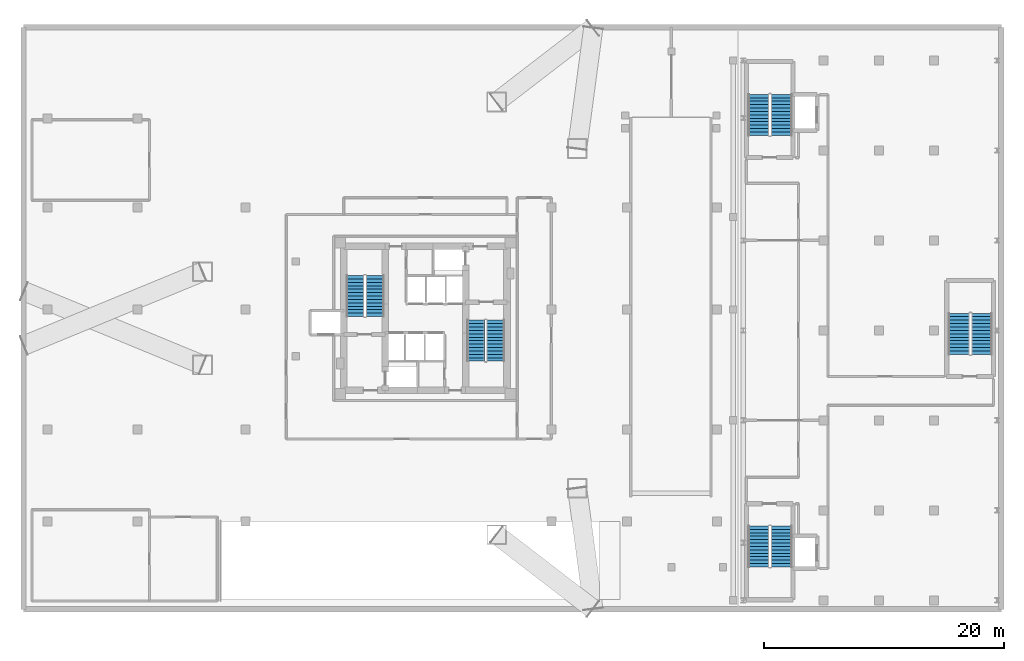
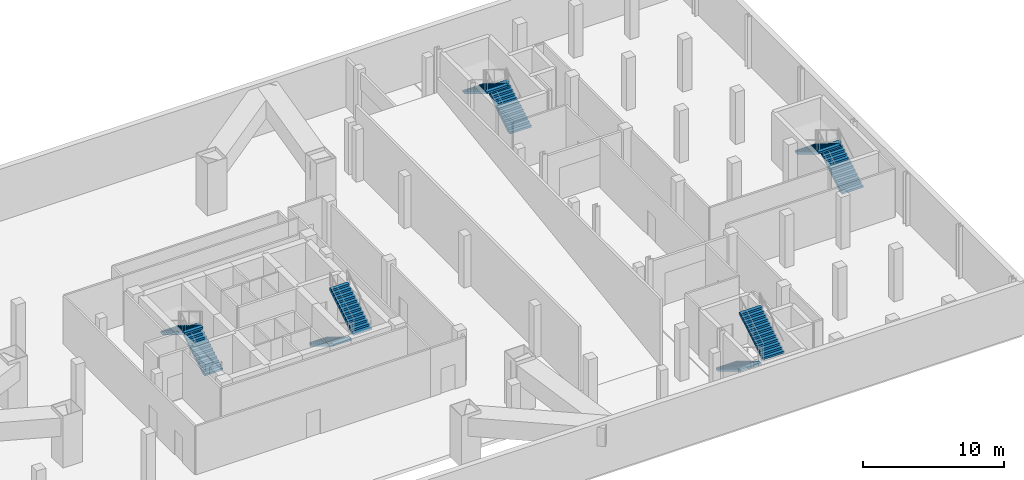
# One storey, part 11 of 14: 10 stair flights, 5 elements without a shape of their own.
"""IFC4 building model written with IfcOpenShell, lengths in metres."""

import ifcopenshell
import ifcopenshell.guid

model = None  # the IFC model being written
_history = None  # IfcOwnerHistory: only IFC2X3 demands one
_inside = {}  # id of a spatial element -> (the spatial element, [elements in it])
_under = {}  # id of a project, library or spatial element -> (it, [spatial elements below it])
_declared = {}  # id of a project -> (the project, [libraries it declares])
_typed = {}  # id of a type object -> (the type object, [elements of that type])
_made_of = {}  # id of a material, layer set ... -> (it, [elements and type objects made of it])


def new_model(schema):
    """Start an empty IFC model of exactly this schema.

    Asked for "IFC4X3", IfcOpenShell would pick the latest addendum, in which some entities
    have other attributes; the version numbers below select the first issue.
    IFC2X3 requires an IfcOwnerHistory on every rooted entity: one is made here for all.
    """
    global model, _history
    if schema == "IFC4X3":
        model = ifcopenshell.file(schema_version=(4, 3, 0, 0))
    else:
        model = ifcopenshell.file(schema=schema)
    _inside.clear()
    _under.clear()
    _declared.clear()
    _typed.clear()
    _made_of.clear()
    _history = None
    if model.schema == "IFC2X3":
        org = make("IfcOrganization", Name="unknown")
        user = make(
            "IfcPersonAndOrganization",
            ThePerson=make("IfcPerson", FamilyName="unknown"),
            TheOrganization=org,
        )
        app = make(
            "IfcApplication",
            ApplicationDeveloper=org,
            Version="unknown",
            ApplicationFullName="unknown",
            ApplicationIdentifier="unknown",
        )
        _history = make(
            "IfcOwnerHistory",
            OwningUser=user,
            OwningApplication=app,
            ChangeAction="ADDED",
            CreationDate=0,
        )
    return model


def make(cls, **values):
    """One entity of the class cls with the attributes given. An attribute that is None is left unset."""
    return model.create_entity(
        cls, **{name: value for name, value in values.items() if value is not None}
    )


def rooted(cls, **values):
    """An entity with a GlobalId (a new one), such as an element, a storey or a relation."""
    return make(cls, GlobalId=ifcopenshell.guid.new(), OwnerHistory=_history, **values)


def si_unit(unit_type, name, prefix=None):
    """IfcSIUnit, for example si_unit("LENGTHUNIT", "METRE", prefix="MILLI")."""
    return make("IfcSIUnit", UnitType=unit_type, Prefix=prefix, Name=name)


def assignment(units):
    """IfcUnitAssignment: the units of a project."""
    return None if units is None else make("IfcUnitAssignment", Units=units)


def point(xyz):
    """IfcCartesianPoint."""
    return None if xyz is None else make("IfcCartesianPoint", Coordinates=xyz)


def direction(xyz):
    """IfcDirection."""
    return None if xyz is None else make("IfcDirection", DirectionRatios=xyz)


def frame(location, z_axis=None, x_axis=None):
    """IfcAxis2Placement3D, a coordinate frame: its origin and axes. An axis left out is left unset."""
    return make(
        "IfcAxis2Placement3D",
        Location=point(location),
        Axis=direction(z_axis),
        RefDirection=direction(x_axis),
    )


def origin():
    """The frame at (0, 0, 0) with its axes left unset."""
    return frame((0.0, 0.0, 0.0))


def place(relative_to, where):
    """IfcLocalPlacement: puts the frame where relative to a parent placement (None: the world)."""
    return make(
        "IfcLocalPlacement", PlacementRelTo=relative_to, RelativePlacement=where
    )


def context(
    kind, dimensions, precision=None, world=None, true_north=None, identifier=None
):
    """IfcGeometricRepresentationContext, for example the 3D "Model" context."""
    return make(
        "IfcGeometricRepresentationContext",
        ContextIdentifier=identifier,
        ContextType=kind,
        CoordinateSpaceDimension=dimensions,
        Precision=precision,
        WorldCoordinateSystem=world,
        TrueNorth=true_north,
    )


def subcontext(parent, identifier, kind, view, scale=None):
    """IfcGeometricRepresentationSubContext, for example "Body" below "Model"."""
    return make(
        "IfcGeometricRepresentationSubContext",
        ContextIdentifier=identifier,
        ContextType=kind,
        ParentContext=parent,
        TargetScale=scale,
        TargetView=view,
    )


def project(units=None, contexts=None):
    """IfcProject with its units and contexts."""
    return rooted(
        "IfcProject",
        Name="project",
        RepresentationContexts=contexts,
        UnitsInContext=assignment(units),
    )


def spatial(cls, under=None, at=None, **own):
    """A site, building, storey or space (cls), placed at a placement, below another one or the project."""
    s = rooted(cls, ObjectPlacement=at, **own)
    if under is not None:
        _under.setdefault(under.id(), (under, []))[1].append(s)
    return s


def polyline(points):
    """IfcPolyline through the points."""
    return make("IfcPolyline", Points=[point(p) for p in points])


def outline(outer, holes=None, kind="AREA"):
    """IfcArbitraryClosedProfileDef: a profile drawn as a closed curve; with holes, ...WithVoids."""
    if holes is None:
        return make("IfcArbitraryClosedProfileDef", ProfileType=kind, OuterCurve=outer)
    return make(
        "IfcArbitraryProfileDefWithVoids",
        ProfileType=kind,
        OuterCurve=outer,
        InnerCurves=holes,
    )


def extrude(swept, where, along, depth):
    """IfcExtrudedAreaSolid: the profile swept, set in the frame where, extruded along a direction by depth."""
    return make(
        "IfcExtrudedAreaSolid",
        SweptArea=swept,
        Position=where,
        ExtrudedDirection=direction(along),
        Depth=depth,
    )


def shape(context_of_items, identifier, shape_type, items):
    """IfcShapeRepresentation: the items that make up one representation, for example the "Body"."""
    return make(
        "IfcShapeRepresentation",
        ContextOfItems=context_of_items,
        RepresentationIdentifier=identifier,
        RepresentationType=shape_type,
        Items=items,
    )


def material(Name=None, Category=None):
    """IfcMaterial."""
    return make("IfcMaterial", Name=Name, Category=Category)


def made_of(thing, what):
    """Note that an element or type object is made of a material, layer set ...; save() writes the relation."""
    if what is not None:
        _made_of.setdefault(what.id(), (what, []))[1].append(thing)
    return thing


def type_object(cls, material=None, **own):
    """A type object (cls), such as IfcWallType, which elements share."""
    return made_of(rooted(cls, **own), material)


def element(
    cls,
    number,
    at=None,
    inside=None,
    cuts=None,
    type_object=None,
    material=None,
    context=None,
    identifier="Body",
    shape_type=None,
    held_by="IfcProductDefinitionShape",
    body=None,
    shapes=None,
    **own,
):
    """One element of the class cls, such as IfcWall. Its Tag is "e" and its number.

    at: its placement. inside: the storey or other place that contains it. cuts: it is an
    opening in that element (IfcRelVoidsElement). A single representation is given by context,
    identifier, shape_type and body (its items); several are given by shapes. held_by: the class
    of the entity that holds the representations. save() writes the other relations.
    """
    e = rooted(cls, Tag="e%d" % number, ObjectPlacement=at, **own)
    if body is not None:
        shapes = [shape(context, identifier, shape_type, body)]
    if shapes is not None:
        e.Representation = make(held_by, Representations=shapes)
    if inside is not None:
        _inside.setdefault(inside.id(), (inside, []))[1].append(e)
    if cuts is not None:
        rooted(
            "IfcRelVoidsElement", RelatingBuildingElement=cuts, RelatedOpeningElement=e
        )
    if type_object is not None:
        _typed.setdefault(type_object.id(), (type_object, []))[1].append(e)
    return made_of(e, material)


def aggregate(whole, parts):
    """IfcRelAggregates: a whole, such as a stair, and the parts it consists of."""
    return rooted("IfcRelAggregates", RelatingObject=whole, RelatedObjects=parts)


def save(model, path):
    """Write the relations noted so far, then the file.

    IfcRelAggregates (storeys below a building ...), IfcRelContainedInSpatialStructure (elements
    in a storey), IfcRelDefinesByType, IfcRelAssociatesMaterial and IfcRelDeclares: one each for
    every whole, place, type object, material and project.
    """
    for whole, parts in _under.values():
        aggregate(whole, parts)
    for where, things in _inside.values():
        rooted(
            "IfcRelContainedInSpatialStructure",
            RelatedElements=things,
            RelatingStructure=where,
        )
    for kind, things in _typed.values():
        rooted("IfcRelDefinesByType", RelatedObjects=things, RelatingType=kind)
    for what, things in _made_of.values():
        rooted("IfcRelAssociatesMaterial", RelatedObjects=things, RelatingMaterial=what)
    for by, libraries in _declared.values():
        rooted("IfcRelDeclares", RelatingContext=by, RelatedDefinitions=libraries)
    model.write(path)


model = new_model("IFC4")

# Units and contexts
model_context = context("Model", 3, precision=1e-05, world=origin(), true_north=direction((0.0, 1.0)))
body_context = subcontext(model_context, "Body", "Model", "MODEL_VIEW")
ifc_project = project(units=[si_unit("LENGTHUNIT", "METRE"), si_unit("AREAUNIT", "SQUARE_METRE"), si_unit("VOLUMEUNIT", "CUBIC_METRE"), si_unit("PLANEANGLEUNIT", "RADIAN"), si_unit("MASSUNIT", "GRAM", prefix="KILO")], contexts=[model_context])

# Site, building, storey
site_placement = place(None, origin())
site = spatial("IfcSite", under=ifc_project, at=site_placement, CompositionType="ELEMENT")
building_placement = place(site_placement, origin())
building = spatial("IfcBuilding", under=site, at=building_placement, Name="Mersakhor Tower and Convention Hall", CompositionType="ELEMENT")
storey_placement = place(building_placement, frame((0.0, 0.0, -4.5)))
storey = spatial("IfcBuildingStorey", under=building, at=storey_placement, Name="B01", CompositionType="ELEMENT", Elevation=-4.5)

# Stair, stair flights
ifc_material_1 = material(Name="Concrete C45/55", Category="concrete")
stair_type_1 = type_object("IfcStairType", Name="ST-CNV-26R", PredefinedType="HALF_TURN_STAIR", material=ifc_material_1)
stair_1_placement = place(storey_placement, origin())
stair_1 = element("IfcStair", 1, at=stair_1_placement, inside=storey, type_object=stair_type_1, Name="B01 Convention Hall Exit Stair CH-ST1", PredefinedType="HALF_TURN_STAIR")
ifc_material_2 = material(Name="Concrete C45/55", Category="concrete")
stair_flight_type_1 = type_object("IfcStairFlightType", Name="SFL-CNV-26R", PredefinedType="STRAIGHT", material=ifc_material_2)
stair_flight_1_placement = place(storey_placement, frame((56.77490234375, 9.449951171875, 0.0), z_axis=(0.0, 0.0, 1.0), x_axis=(0.0, -1.0, 0.0)))
stair_flight_1 = element("IfcStairFlight", 2, at=stair_flight_1_placement, type_object=stair_flight_type_1, Name="CH-ST1 flight 1", NumberOfRisers=13, NumberOfTreads=12, PredefinedType="STRAIGHT", RiserHeight=0.173076923, TreadLength=0.285, context=body_context, shape_type="SweptSolid", body=[
    extrude(outline(polyline([(0.0, 0.0), (0.0, 0.173095703125), (0.284912109375, 0.173095703125), (0.284912109375, 0.34619140625), (0.570068359375, 0.34619140625), (0.570068359375, 0.519287109375), (0.85498046875, 0.519287109375), (0.85498046875, 0.6923828125), (1.139892578125, 0.6923828125), (1.139892578125, 0.865478515625), (1.425048828125, 0.865478515625), (1.425048828125, 1.03857421875), (1.7099609375, 1.03857421875), (1.7099609375, 1.21142578125), (1.9951171875, 1.21142578125), (1.9951171875, 1.384521484375), (2.280029296875, 1.384521484375), (2.280029296875, 1.5576171875), (2.56494140625, 1.5576171875), (2.56494140625, 1.730712890625), (2.85009765625, 1.730712890625), (2.85009765625, 1.90380859375), (3.135009765625, 1.90380859375), (3.135009765625, 2.076904296875), (3.419921875, 2.076904296875), (3.419921875, 2.25), (3.419921875, 1.901611328125), (0.288818359375, 0.0), (0.0, 0.0)])), frame((0.0, 0.875, 0.0), z_axis=(0.0, -1.0, 0.0), x_axis=(1.0, 0.0, 0.0)), (0.0, 0.0, 1.0), 1.75),
])
stair_flight_2_placement = place(storey_placement, frame((58.675048828125, 6.030029296875, 2.25), z_axis=(0.0, 0.0, 1.0), x_axis=(0.0, 1.0, 0.0)))
stair_flight_2 = element("IfcStairFlight", 3, at=stair_flight_2_placement, type_object=stair_flight_type_1, Name="CH-ST1 flight 2", NumberOfRisers=13, NumberOfTreads=12, PredefinedType="STRAIGHT", RiserHeight=0.173076923, TreadLength=0.285, context=body_context, shape_type="SweptSolid", body=[
    extrude(outline(polyline([(0.0, 0.0), (0.0, 0.173095703125), (0.284912109375, 0.173095703125), (0.284912109375, 0.34619140625), (0.570068359375, 0.34619140625), (0.570068359375, 0.519287109375), (0.85498046875, 0.519287109375), (0.85498046875, 0.6923828125), (1.139892578125, 0.6923828125), (1.139892578125, 0.865478515625), (1.425048828125, 0.865478515625), (1.425048828125, 1.03857421875), (1.7099609375, 1.03857421875), (1.7099609375, 1.21142578125), (1.9951171875, 1.21142578125), (1.9951171875, 1.384521484375), (2.280029296875, 1.384521484375), (2.280029296875, 1.5576171875), (2.56494140625, 1.5576171875), (2.56494140625, 1.730712890625), (2.85009765625, 1.730712890625), (2.85009765625, 1.90380859375), (3.135009765625, 1.90380859375), (3.135009765625, 2.076904296875), (3.419921875, 2.076904296875), (3.419921875, 2.25), (3.419921875, 1.901611328125), (0.288818359375, 0.0), (0.0, 0.0)])), frame((0.0, 0.875, 0.0), z_axis=(0.0, -1.0, 0.0), x_axis=(1.0, 0.0, 0.0)), (0.0, 0.0, 1.0), 1.75),
])
aggregate(stair_1, [stair_flight_1, stair_flight_2])

stair_2_placement = place(storey_placement, origin())
stair_2 = element("IfcStair", 4, at=stair_2_placement, inside=storey, type_object=stair_type_1, Name="B01 Convention Hall Exit Stair CH-ST2", PredefinedType="HALF_TURN_STAIR")
stair_flight_3_placement = place(storey_placement, frame((58.675048828125, 42.0, 0.0), z_axis=(0.0, 0.0, 1.0), x_axis=(0.0, 1.0, 0.0)))
stair_flight_3 = element("IfcStairFlight", 5, at=stair_flight_3_placement, type_object=stair_flight_type_1, Name="CH-ST2 flight 1", NumberOfRisers=13, NumberOfTreads=12, PredefinedType="STRAIGHT", RiserHeight=0.173076923, TreadLength=0.285, context=body_context, shape_type="SweptSolid", body=[
    extrude(outline(polyline([(0.0, 0.0), (0.0, 0.173095703125), (0.284912109375, 0.173095703125), (0.284912109375, 0.34619140625), (0.570068359375, 0.34619140625), (0.570068359375, 0.519287109375), (0.85498046875, 0.519287109375), (0.85498046875, 0.6923828125), (1.139892578125, 0.6923828125), (1.139892578125, 0.865478515625), (1.425048828125, 0.865478515625), (1.425048828125, 1.03857421875), (1.7099609375, 1.03857421875), (1.7099609375, 1.21142578125), (1.9951171875, 1.21142578125), (1.9951171875, 1.384521484375), (2.280029296875, 1.384521484375), (2.280029296875, 1.5576171875), (2.56494140625, 1.5576171875), (2.56494140625, 1.730712890625), (2.85009765625, 1.730712890625), (2.85009765625, 1.90380859375), (3.135009765625, 1.90380859375), (3.135009765625, 2.076904296875), (3.419921875, 2.076904296875), (3.419921875, 2.25), (3.419921875, 1.901611328125), (0.288818359375, 0.0), (0.0, 0.0)])), frame((0.0, 0.875, 0.0), z_axis=(0.0, -1.0, 0.0), x_axis=(1.0, 0.0, 0.0)), (0.0, 0.0, 1.0), 1.75),
])
stair_flight_4_placement = place(storey_placement, frame((56.77490234375, 45.419921875, 2.25), z_axis=(0.0, 0.0, 1.0), x_axis=(0.0, -1.0, 0.0)))
stair_flight_4 = element("IfcStairFlight", 6, at=stair_flight_4_placement, type_object=stair_flight_type_1, Name="CH-ST2 flight 2", NumberOfRisers=13, NumberOfTreads=12, PredefinedType="STRAIGHT", RiserHeight=0.173076923, TreadLength=0.285, context=body_context, shape_type="SweptSolid", body=[
    extrude(outline(polyline([(0.0, 0.0), (0.0, 0.173095703125), (0.284912109375, 0.173095703125), (0.284912109375, 0.34619140625), (0.570068359375, 0.34619140625), (0.570068359375, 0.519287109375), (0.85498046875, 0.519287109375), (0.85498046875, 0.6923828125), (1.139892578125, 0.6923828125), (1.139892578125, 0.865478515625), (1.425048828125, 0.865478515625), (1.425048828125, 1.03857421875), (1.7099609375, 1.03857421875), (1.7099609375, 1.21142578125), (1.9951171875, 1.21142578125), (1.9951171875, 1.384521484375), (2.280029296875, 1.384521484375), (2.280029296875, 1.5576171875), (2.56494140625, 1.5576171875), (2.56494140625, 1.730712890625), (2.85009765625, 1.730712890625), (2.85009765625, 1.90380859375), (3.135009765625, 1.90380859375), (3.135009765625, 2.076904296875), (3.419921875, 2.076904296875), (3.419921875, 2.25), (3.419921875, 1.901611328125), (0.288818359375, 0.0), (0.0, 0.0)])), frame((0.0, 0.875, 0.0), z_axis=(0.0, -1.0, 0.0), x_axis=(1.0, 0.0, 0.0)), (0.0, 0.0, 1.0), 1.75),
])
aggregate(stair_2, [stair_flight_3, stair_flight_4])

stair_3_placement = place(storey_placement, origin())
stair_3 = element("IfcStair", 7, at=stair_3_placement, inside=storey, type_object=stair_type_1, Name="B01 Convention Hall Exit Stair CH-ST3", PredefinedType="HALF_TURN_STAIR")
stair_flight_5_placement = place(storey_placement, frame((75.375, 23.75, 0.0), z_axis=(0.0, 0.0, 1.0), x_axis=(0.0, 1.0, 0.0)))
stair_flight_5 = element("IfcStairFlight", 8, at=stair_flight_5_placement, type_object=stair_flight_type_1, Name="CH-ST3 flight 1", NumberOfRisers=13, NumberOfTreads=12, PredefinedType="STRAIGHT", RiserHeight=0.173076923, TreadLength=0.285, context=body_context, shape_type="SweptSolid", body=[
    extrude(outline(polyline([(0.0, 0.0), (0.0, 0.173095703125), (0.284912109375, 0.173095703125), (0.284912109375, 0.34619140625), (0.570068359375, 0.34619140625), (0.570068359375, 0.519287109375), (0.85498046875, 0.519287109375), (0.85498046875, 0.6923828125), (1.139892578125, 0.6923828125), (1.139892578125, 0.865478515625), (1.425048828125, 0.865478515625), (1.425048828125, 1.03857421875), (1.7099609375, 1.03857421875), (1.7099609375, 1.21142578125), (1.9951171875, 1.21142578125), (1.9951171875, 1.384521484375), (2.280029296875, 1.384521484375), (2.280029296875, 1.5576171875), (2.56494140625, 1.5576171875), (2.56494140625, 1.730712890625), (2.85009765625, 1.730712890625), (2.85009765625, 1.90380859375), (3.135009765625, 1.90380859375), (3.135009765625, 2.076904296875), (3.419921875, 2.076904296875), (3.419921875, 2.25), (3.419921875, 1.901611328125), (0.288818359375, 0.0), (0.0, 0.0)])), frame((0.0, 0.875, 0.0), z_axis=(0.0, -1.0, 0.0), x_axis=(1.0, 0.0, 0.0)), (0.0, 0.0, 1.0), 1.75),
])
stair_flight_6_placement = place(storey_placement, frame((73.47509765625, 27.169921875, 2.25), z_axis=(0.0, 0.0, 1.0), x_axis=(0.0, -1.0, 0.0)))
stair_flight_6 = element("IfcStairFlight", 9, at=stair_flight_6_placement, type_object=stair_flight_type_1, Name="CH-ST3 flight 2", NumberOfRisers=13, NumberOfTreads=12, PredefinedType="STRAIGHT", RiserHeight=0.173076923, TreadLength=0.285, context=body_context, shape_type="SweptSolid", body=[
    extrude(outline(polyline([(0.0, 0.0), (0.0, 0.173095703125), (0.284912109375, 0.173095703125), (0.284912109375, 0.34619140625), (0.570068359375, 0.34619140625), (0.570068359375, 0.519287109375), (0.85498046875, 0.519287109375), (0.85498046875, 0.6923828125), (1.139892578125, 0.6923828125), (1.139892578125, 0.865478515625), (1.425048828125, 0.865478515625), (1.425048828125, 1.03857421875), (1.7099609375, 1.03857421875), (1.7099609375, 1.21142578125), (1.9951171875, 1.21142578125), (1.9951171875, 1.384521484375), (2.280029296875, 1.384521484375), (2.280029296875, 1.5576171875), (2.56494140625, 1.5576171875), (2.56494140625, 1.730712890625), (2.85009765625, 1.730712890625), (2.85009765625, 1.90380859375), (3.135009765625, 1.90380859375), (3.135009765625, 2.076904296875), (3.419921875, 2.076904296875), (3.419921875, 2.25), (3.419921875, 1.901611328125), (0.288818359375, 0.0), (0.0, 0.0)])), frame((0.0, 0.875, 0.0), z_axis=(0.0, -1.0, 0.0), x_axis=(1.0, 0.0, 0.0)), (0.0, 0.0, 1.0), 1.75),
])
aggregate(stair_3, [stair_flight_5, stair_flight_6])

ifc_material_3 = material(Name="Concrete C45/55", Category="concrete")
stair_type_2 = type_object("IfcStairType", Name="ST-TWR-26R", PredefinedType="HALF_TURN_STAIR", material=ifc_material_3)
stair_4_placement = place(storey_placement, origin())
stair_4 = element("IfcStair", 10, at=stair_4_placement, inside=storey, type_object=stair_type_2, Name="B01 Tower Protected Exit Stair ST-1", PredefinedType="HALF_TURN_STAIR")
ifc_material_4 = material(Name="Concrete C45/55", Category="concrete")
stair_flight_type_2 = type_object("IfcStairFlightType", Name="SFL-TWR-26R", PredefinedType="STRAIGHT", material=ifc_material_4)
stair_flight_7_placement = place(storey_placement, frame((24.800048828125, 26.89990234375, 0.0), z_axis=(0.0, 0.0, 1.0), x_axis=(0.0, 1.0, 0.0)))
stair_flight_7 = element("IfcStairFlight", 11, at=stair_flight_7_placement, type_object=stair_flight_type_2, Name="ST-1 flight 1", NumberOfRisers=13, NumberOfTreads=12, PredefinedType="STRAIGHT", RiserHeight=0.173076923, TreadLength=0.285, context=body_context, shape_type="SweptSolid", body=[
    extrude(outline(polyline([(0.0, 0.0), (0.0, 0.173095703125), (0.284912109375, 0.173095703125), (0.284912109375, 0.34619140625), (0.570068359375, 0.34619140625), (0.570068359375, 0.519287109375), (0.85498046875, 0.519287109375), (0.85498046875, 0.6923828125), (1.139892578125, 0.6923828125), (1.139892578125, 0.865478515625), (1.425048828125, 0.865478515625), (1.425048828125, 1.03857421875), (1.7099609375, 1.03857421875), (1.7099609375, 1.21142578125), (1.9951171875, 1.21142578125), (1.9951171875, 1.384521484375), (2.280029296875, 1.384521484375), (2.280029296875, 1.5576171875), (2.56494140625, 1.5576171875), (2.56494140625, 1.730712890625), (2.85009765625, 1.730712890625), (2.85009765625, 1.90380859375), (3.135009765625, 1.90380859375), (3.135009765625, 2.076904296875), (3.419921875, 2.076904296875), (3.419921875, 2.25), (3.419921875, 1.901611328125), (0.288818359375, 0.0), (0.0, 0.0)])), frame((0.0, 0.75, 0.0), z_axis=(0.0, -1.0, 0.0), x_axis=(1.0, 0.0, 0.0)), (0.0, 0.0, 1.0), 1.5),
])
stair_flight_8_placement = place(storey_placement, frame((23.14990234375, 30.320068359375, 2.25), z_axis=(0.0, 0.0, 1.0), x_axis=(0.0, -1.0, 0.0)))
stair_flight_8 = element("IfcStairFlight", 12, at=stair_flight_8_placement, type_object=stair_flight_type_2, Name="ST-1 flight 2", NumberOfRisers=13, NumberOfTreads=12, PredefinedType="STRAIGHT", RiserHeight=0.173076923, TreadLength=0.285, context=body_context, shape_type="SweptSolid", body=[
    extrude(outline(polyline([(0.0, 0.0), (0.0, 0.173095703125), (0.284912109375, 0.173095703125), (0.284912109375, 0.34619140625), (0.570068359375, 0.34619140625), (0.570068359375, 0.519287109375), (0.85498046875, 0.519287109375), (0.85498046875, 0.6923828125), (1.139892578125, 0.6923828125), (1.139892578125, 0.865478515625), (1.425048828125, 0.865478515625), (1.425048828125, 1.03857421875), (1.7099609375, 1.03857421875), (1.7099609375, 1.21142578125), (1.9951171875, 1.21142578125), (1.9951171875, 1.384521484375), (2.280029296875, 1.384521484375), (2.280029296875, 1.5576171875), (2.56494140625, 1.5576171875), (2.56494140625, 1.730712890625), (2.85009765625, 1.730712890625), (2.85009765625, 1.90380859375), (3.135009765625, 1.90380859375), (3.135009765625, 2.076904296875), (3.419921875, 2.076904296875), (3.419921875, 2.25), (3.419921875, 1.901611328125), (0.288818359375, 0.0), (0.0, 0.0)])), frame((0.0, 0.75, 0.0), z_axis=(0.0, -1.0, 0.0), x_axis=(1.0, 0.0, 0.0)), (0.0, 0.0, 1.0), 1.5),
])
aggregate(stair_4, [stair_flight_7, stair_flight_8])

stair_5_placement = place(storey_placement, origin())
stair_5 = element("IfcStair", 13, at=stair_5_placement, inside=storey, type_object=stair_type_2, Name="B01 Tower Protected Exit Stair ST-2", PredefinedType="HALF_TURN_STAIR")
stair_flight_9_placement = place(storey_placement, frame((33.199951171875, 26.60009765625, 0.0), z_axis=(0.0, 0.0, 1.0), x_axis=(0.0, -1.0, 0.0)))
stair_flight_9 = element("IfcStairFlight", 14, at=stair_flight_9_placement, type_object=stair_flight_type_2, Name="ST-2 flight 1", NumberOfRisers=13, NumberOfTreads=12, PredefinedType="STRAIGHT", RiserHeight=0.173076923, TreadLength=0.285, context=body_context, shape_type="SweptSolid", body=[
    extrude(outline(polyline([(0.0, 0.0), (0.0, 0.173095703125), (0.284912109375, 0.173095703125), (0.284912109375, 0.34619140625), (0.570068359375, 0.34619140625), (0.570068359375, 0.519287109375), (0.85498046875, 0.519287109375), (0.85498046875, 0.6923828125), (1.139892578125, 0.6923828125), (1.139892578125, 0.865478515625), (1.425048828125, 0.865478515625), (1.425048828125, 1.03857421875), (1.7099609375, 1.03857421875), (1.7099609375, 1.21142578125), (1.9951171875, 1.21142578125), (1.9951171875, 1.384521484375), (2.280029296875, 1.384521484375), (2.280029296875, 1.5576171875), (2.56494140625, 1.5576171875), (2.56494140625, 1.730712890625), (2.85009765625, 1.730712890625), (2.85009765625, 1.90380859375), (3.135009765625, 1.90380859375), (3.135009765625, 2.076904296875), (3.419921875, 2.076904296875), (3.419921875, 2.25), (3.419921875, 1.901611328125), (0.288818359375, 0.0), (0.0, 0.0)])), frame((0.0, 0.75, 0.0), z_axis=(0.0, -1.0, 0.0), x_axis=(1.0, 0.0, 0.0)), (0.0, 0.0, 1.0), 1.5),
])
stair_flight_10_placement = place(storey_placement, frame((34.85009765625, 23.179931640625, 2.25), z_axis=(0.0, 0.0, 1.0), x_axis=(0.0, 1.0, 0.0)))
stair_flight_10 = element("IfcStairFlight", 15, at=stair_flight_10_placement, type_object=stair_flight_type_2, Name="ST-2 flight 2", NumberOfRisers=13, NumberOfTreads=12, PredefinedType="STRAIGHT", RiserHeight=0.173076923, TreadLength=0.285, context=body_context, shape_type="SweptSolid", body=[
    extrude(outline(polyline([(0.0, 0.0), (0.0, 0.173095703125), (0.284912109375, 0.173095703125), (0.284912109375, 0.34619140625), (0.570068359375, 0.34619140625), (0.570068359375, 0.519287109375), (0.85498046875, 0.519287109375), (0.85498046875, 0.6923828125), (1.139892578125, 0.6923828125), (1.139892578125, 0.865478515625), (1.425048828125, 0.865478515625), (1.425048828125, 1.03857421875), (1.7099609375, 1.03857421875), (1.7099609375, 1.21142578125), (1.9951171875, 1.21142578125), (1.9951171875, 1.384521484375), (2.280029296875, 1.384521484375), (2.280029296875, 1.5576171875), (2.56494140625, 1.5576171875), (2.56494140625, 1.730712890625), (2.85009765625, 1.730712890625), (2.85009765625, 1.90380859375), (3.135009765625, 1.90380859375), (3.135009765625, 2.076904296875), (3.419921875, 2.076904296875), (3.419921875, 2.25), (3.419921875, 1.901611328125), (0.288818359375, 0.0), (0.0, 0.0)])), frame((0.0, 0.75, 0.0), z_axis=(0.0, -1.0, 0.0), x_axis=(1.0, 0.0, 0.0)), (0.0, 0.0, 1.0), 1.5),
])
aggregate(stair_5, [stair_flight_9, stair_flight_10])

save(model, "model.ifc")
